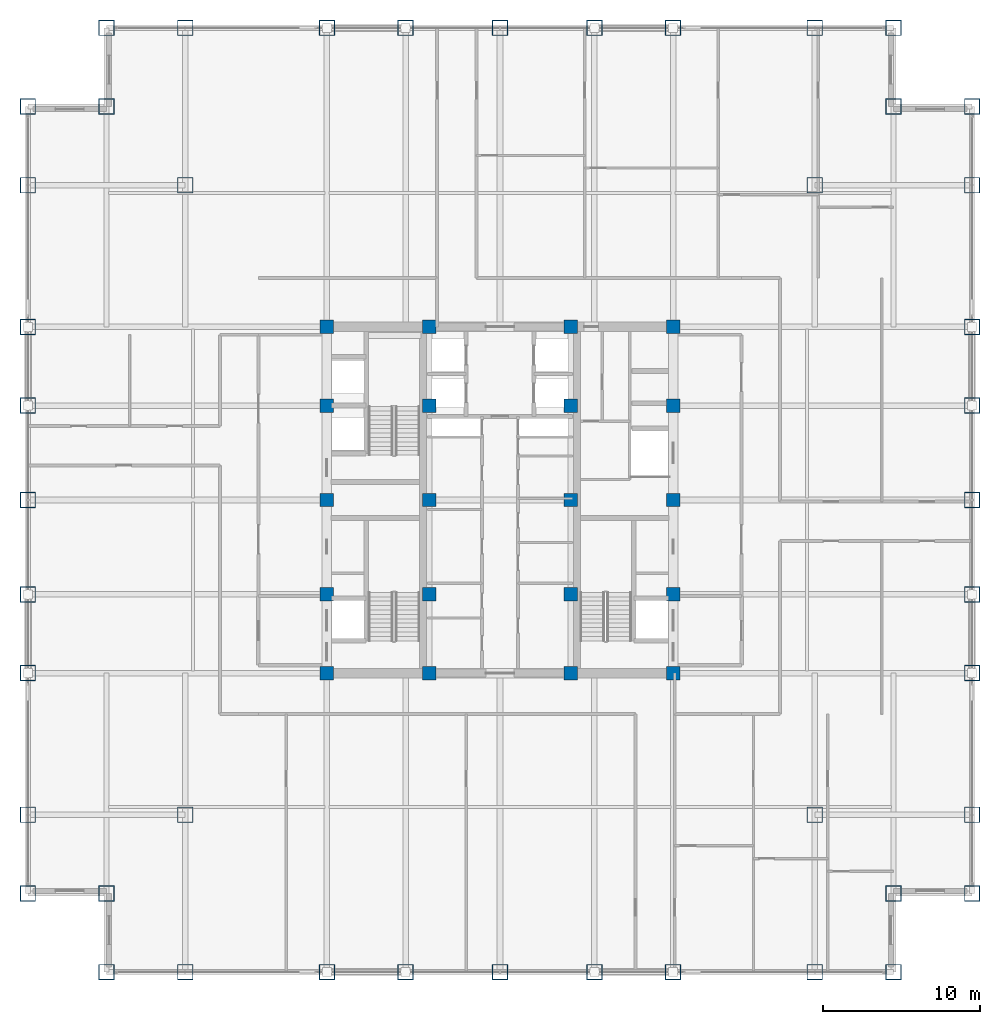
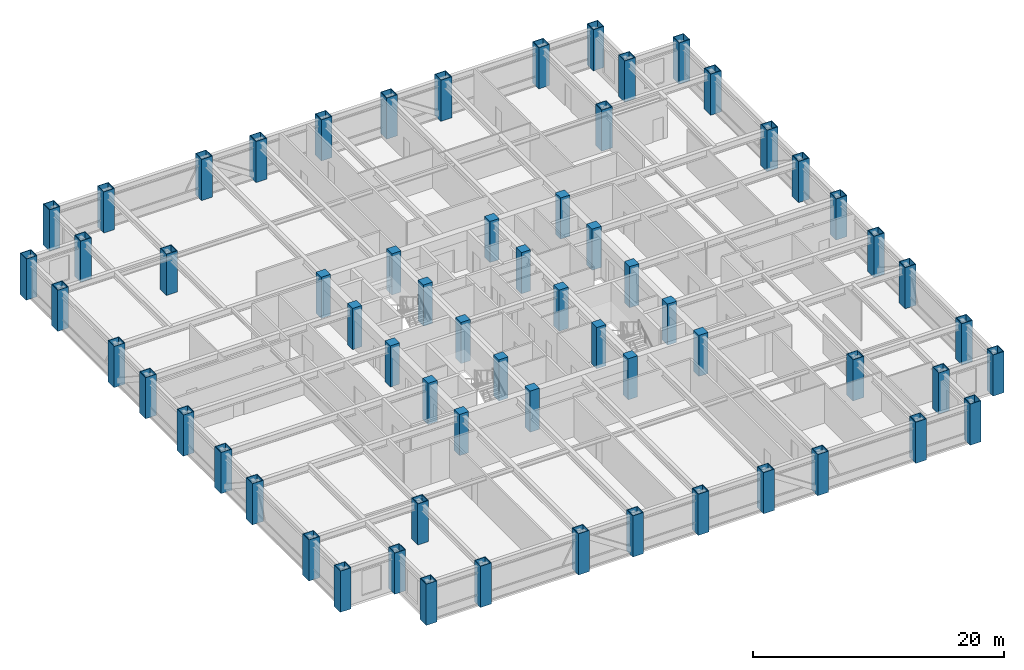
# One storey, part 1 of 25: 64 columns.
"""IFC4 building model written with IfcOpenShell, lengths in metres."""

from ifc_helpers import new_model, si_unit, direction, frame, origin, origin_2d, place, context, subcontext, project, spatial, rectangle, hollow_rectangle, extrude, source, transform, mapped, material, material_profile, profile_set, type_object, element, save


model = new_model("IFC4")

# Units and contexts
model_context = context("Model", 3, precision=1e-05, world=origin(), true_north=direction((0.0, 1.0)))
body_context = subcontext(model_context, "Body", "Model", "MODEL_VIEW")
ifc_project = project(units=[si_unit("LENGTHUNIT", "METRE"), si_unit("AREAUNIT", "SQUARE_METRE"), si_unit("VOLUMEUNIT", "CUBIC_METRE"), si_unit("PLANEANGLEUNIT", "RADIAN"), si_unit("MASSUNIT", "GRAM", prefix="KILO")], contexts=[model_context])

# Site, building, storey
site_placement = place(None, origin())
site = spatial("IfcSite", under=ifc_project, at=site_placement, CompositionType="ELEMENT")
building_placement = place(site_placement, origin())
building = spatial("IfcBuilding", under=site, at=building_placement, Name="Khorayat Bourse Tower", CompositionType="ELEMENT")
storey_placement = place(building_placement, frame((0.0, 0.0, 247.10009765625)))
storey = spatial("IfcBuildingStorey", under=building, at=storey_placement, Name="L58", CompositionType="ELEMENT", Elevation=247.10009765625)

# Columns
ifc_material_1 = material(Name="Concrete C60/75", Category="concrete")
ifc_material_profile_1 = material_profile(ifc_material_1, rectangle(XDim=0.85009765625, YDim=0.85009765625, at=origin_2d()), Name="RC 850x850")
ifc_profile_set_1 = profile_set([ifc_material_profile_1], Name="Concrete C60/75")
column_type_1 = type_object("IfcColumnType", Name="COL-CORE-850", PredefinedType="COLUMN", material=ifc_profile_set_1)
shared_shape_1 = source(origin(), body_context, "Body", "SweptSolid", [
    extrude(rectangle(XDim=0.85009765625, YDim=0.85009765625, at=origin_2d()), origin(), (0.0, 0.0, 1.0), 4.0),
])
for number, where, z_axis, x_axis, name in (
    (1, (-11.0, -11.0, 0.0), (0.0, 0.0, 1.0), (1.0, 0.0, 0.0), "L58 Column 019"),
    (2, (-11.0, -6.0, 0.0), (0.0, 0.0, 1.0), (1.0, 0.0, 0.0), "L58 Column 020"),
    (3, (-11.0, 0.0, 0.0), (0.0, 0.0, 1.0), (1.0, 0.0, 0.0), "L58 Column 021"),
    (4, (-11.0, 6.0, 0.0), (0.0, 0.0, 1.0), (1.0, 0.0, 0.0), "L58 Column 022"),
    (5, (-11.0, 11.0, 0.0), (0.0, 0.0, 1.0), (1.0, 0.0, 0.0), "L58 Column 023"),
    (6, (-4.5, -11.0, 0.0), (0.0, 0.0, 1.0), (1.0, 0.0, 0.0), "L58 Column 027"),
    (7, (-4.5, -6.0, 0.0), (0.0, 0.0, 1.0), (1.0, 0.0, 0.0), "L58 Column 028"),
    (8, (-4.5, 0.0, 0.0), (0.0, 0.0, 1.0), (1.0, 0.0, 0.0), "L58 Column 029"),
    (9, (-4.5, 6.0, 0.0), (0.0, 0.0, 1.0), (1.0, 0.0, 0.0), "L58 Column 030"),
    (10, (-4.5, 11.0, 0.0), (0.0, 0.0, 1.0), (1.0, 0.0, 0.0), "L58 Column 031"),
    (11, (4.5, -11.0, 0.0), (0.0, 0.0, 1.0), (1.0, 0.0, 0.0), "L58 Column 034"),
    (12, (4.5, -6.0, 0.0), (0.0, 0.0, 1.0), (1.0, 0.0, 0.0), "L58 Column 035"),
    (13, (4.5, 0.0, 0.0), (0.0, 0.0, 1.0), (1.0, 0.0, 0.0), "L58 Column 036"),
    (14, (4.5, 6.0, 0.0), (0.0, 0.0, 1.0), (1.0, 0.0, 0.0), "L58 Column 037"),
    (15, (4.5, 11.0, 0.0), (0.0, 0.0, 1.0), (1.0, 0.0, 0.0), "L58 Column 038"),
    (16, (11.0, -11.0, 0.0), (0.0, 0.0, 1.0), (1.0, 0.0, 0.0), "L58 Column 042"),
    (17, (11.0, -6.0, 0.0), (0.0, 0.0, 1.0), (1.0, 0.0, 0.0), "L58 Column 043"),
    (18, (11.0, 0.0, 0.0), (0.0, 0.0, 1.0), (1.0, 0.0, 0.0), "L58 Column 044"),
    (19, (11.0, 6.0, 0.0), (0.0, 0.0, 1.0), (1.0, 0.0, 0.0), "L58 Column 045"),
    (20, (11.0, 11.0, 0.0), (0.0, 0.0, 1.0), (1.0, 0.0, 0.0), "L58 Column 046"),
):
    element("IfcColumn", number, at=place(storey_placement, frame(where, z_axis=z_axis, x_axis=x_axis)), inside=storey, type_object=column_type_1, Name=name, PredefinedType="COLUMN", context=body_context, shape_type="MappedRepresentation", body=[
        mapped(shared_shape_1, transform((0.0, 0.0, 0.0), scale=1.0)),
    ])
ifc_material_2 = material(Name="Steel EN 10025-4 S460M", Category="steel")
ifc_material_profile_2 = material_profile(ifc_material_2, hollow_rectangle(XDim=1.0, YDim=1.0, WallThickness=0.054931640625, at=origin_2d()), Name="BOX 1000x1000x55")
ifc_profile_set_2 = profile_set([ifc_material_profile_2], Name="Steel EN 10025-4 S460M")
column_type_2 = type_object("IfcColumnType", Name="COL-TUBE-1000", PredefinedType="COLUMN", material=ifc_profile_set_2)
shared_shape_2 = source(origin(), body_context, "Body", "SweptSolid", [
    extrude(hollow_rectangle(XDim=1.0, YDim=1.0, WallThickness=0.054931640625, at=origin_2d()), origin(), (0.0, 0.0, 1.0), 4.0),
])
for number, where, z_axis, x_axis, name in (
    (21, (-30.0, -25.0, 0.0), (0.0, 0.0, 1.0), (1.0, 0.0, 0.0), "L58 Column 001"),
    (22, (-30.0, -20.0, 0.0), (0.0, 0.0, 1.0), (1.0, 0.0, 0.0), "L58 Column 002"),
    (23, (-30.0, -11.0, 0.0), (0.0, 0.0, 1.0), (1.0, 0.0, 0.0), "L58 Column 003"),
    (24, (-30.0, -6.0, 0.0), (0.0, 0.0, 1.0), (1.0, 0.0, 0.0), "L58 Column 004"),
    (25, (-30.0, 0.0, 0.0), (0.0, 0.0, 1.0), (1.0, 0.0, 0.0), "L58 Column 005"),
    (26, (-30.0, 6.0, 0.0), (0.0, 0.0, 1.0), (1.0, 0.0, 0.0), "L58 Column 006"),
    (27, (-30.0, 11.0, 0.0), (0.0, 0.0, 1.0), (1.0, 0.0, 0.0), "L58 Column 007"),
    (28, (-30.0, 20.0, 0.0), (0.0, 0.0, 1.0), (1.0, 0.0, 0.0), "L58 Column 008"),
    (29, (-30.0, 25.0, 0.0), (0.0, 0.0, 1.0), (1.0, 0.0, 0.0), "L58 Column 009"),
    (30, (-25.0, -30.0, 0.0), (0.0, 0.0, 1.0), (1.0, 0.0, 0.0), "L58 Column 010"),
    (31, (-25.0, -25.0, 0.0), (0.0, 0.0, 1.0), (1.0, 0.0, 0.0), "L58 Column 011"),
    (32, (-25.0, 25.0, 0.0), (0.0, 0.0, 1.0), (1.0, 0.0, 0.0), "L58 Column 012"),
    (33, (-25.0, 30.0, 0.0), (0.0, 0.0, 1.0), (1.0, 0.0, 0.0), "L58 Column 013"),
    (34, (-20.0, -30.0, 0.0), (0.0, 0.0, 1.0), (1.0, 0.0, 0.0), "L58 Column 014"),
    (35, (-20.0, -20.0, 0.0), (0.0, 0.0, 1.0), (1.0, 0.0, 0.0), "L58 Column 015"),
    (36, (-20.0, 20.0, 0.0), (0.0, 0.0, 1.0), (1.0, 0.0, 0.0), "L58 Column 016"),
    (37, (-20.0, 30.0, 0.0), (0.0, 0.0, 1.0), (1.0, 0.0, 0.0), "L58 Column 017"),
    (38, (-11.0, -30.0, 0.0), (0.0, 0.0, 1.0), (1.0, 0.0, 0.0), "L58 Column 018"),
    (39, (-11.0, 30.0, 0.0), (0.0, 0.0, 1.0), (1.0, 0.0, 0.0), "L58 Column 024"),
    (40, (-6.0, -30.0, 0.0), (0.0, 0.0, 1.0), (1.0, 0.0, 0.0), "L58 Column 025"),
    (41, (-6.0, 30.0, 0.0), (0.0, 0.0, 1.0), (1.0, 0.0, 0.0), "L58 Column 026"),
    (42, (0.0, -30.0, 0.0), (0.0, 0.0, 1.0), (1.0, 0.0, 0.0), "L58 Column 032"),
    (43, (0.0, 30.0, 0.0), (0.0, 0.0, 1.0), (1.0, 0.0, 0.0), "L58 Column 033"),
    (44, (6.0, -30.0, 0.0), (0.0, 0.0, 1.0), (1.0, 0.0, 0.0), "L58 Column 039"),
    (45, (6.0, 30.0, 0.0), (0.0, 0.0, 1.0), (1.0, 0.0, 0.0), "L58 Column 040"),
    (46, (11.0, -30.0, 0.0), (0.0, 0.0, 1.0), (1.0, 0.0, 0.0), "L58 Column 041"),
    (47, (11.0, 30.0, 0.0), (0.0, 0.0, 1.0), (1.0, 0.0, 0.0), "L58 Column 047"),
    (48, (20.0, -30.0, 0.0), (0.0, 0.0, 1.0), (1.0, 0.0, 0.0), "L58 Column 048"),
    (49, (20.0, -20.0, 0.0), (0.0, 0.0, 1.0), (1.0, 0.0, 0.0), "L58 Column 049"),
    (50, (20.0, 20.0, 0.0), (0.0, 0.0, 1.0), (1.0, 0.0, 0.0), "L58 Column 050"),
    (51, (20.0, 30.0, 0.0), (0.0, 0.0, 1.0), (1.0, 0.0, 0.0), "L58 Column 051"),
    (52, (25.0, -30.0, 0.0), (0.0, 0.0, 1.0), (1.0, 0.0, 0.0), "L58 Column 052"),
    (53, (25.0, -25.0, 0.0), (0.0, 0.0, 1.0), (1.0, 0.0, 0.0), "L58 Column 053"),
    (54, (25.0, 25.0, 0.0), (0.0, 0.0, 1.0), (1.0, 0.0, 0.0), "L58 Column 054"),
    (55, (25.0, 30.0, 0.0), (0.0, 0.0, 1.0), (1.0, 0.0, 0.0), "L58 Column 055"),
    (56, (30.0, -25.0, 0.0), (0.0, 0.0, 1.0), (1.0, 0.0, 0.0), "L58 Column 056"),
    (57, (30.0, -20.0, 0.0), (0.0, 0.0, 1.0), (1.0, 0.0, 0.0), "L58 Column 057"),
    (58, (30.0, -11.0, 0.0), (0.0, 0.0, 1.0), (1.0, 0.0, 0.0), "L58 Column 058"),
    (59, (30.0, -6.0, 0.0), (0.0, 0.0, 1.0), (1.0, 0.0, 0.0), "L58 Column 059"),
    (60, (30.0, 0.0, 0.0), (0.0, 0.0, 1.0), (1.0, 0.0, 0.0), "L58 Column 060"),
    (61, (30.0, 6.0, 0.0), (0.0, 0.0, 1.0), (1.0, 0.0, 0.0), "L58 Column 061"),
    (62, (30.0, 11.0, 0.0), (0.0, 0.0, 1.0), (1.0, 0.0, 0.0), "L58 Column 062"),
    (63, (30.0, 20.0, 0.0), (0.0, 0.0, 1.0), (1.0, 0.0, 0.0), "L58 Column 063"),
    (64, (30.0, 25.0, 0.0), (0.0, 0.0, 1.0), (1.0, 0.0, 0.0), "L58 Column 064"),
):
    element("IfcColumn", number, at=place(storey_placement, frame(where, z_axis=z_axis, x_axis=x_axis)), inside=storey, type_object=column_type_2, Name=name, PredefinedType="COLUMN", context=body_context, shape_type="MappedRepresentation", body=[
        mapped(shared_shape_2, transform((0.0, 0.0, 0.0), scale=1.0)),
    ])

save(model, "model.ifc")
